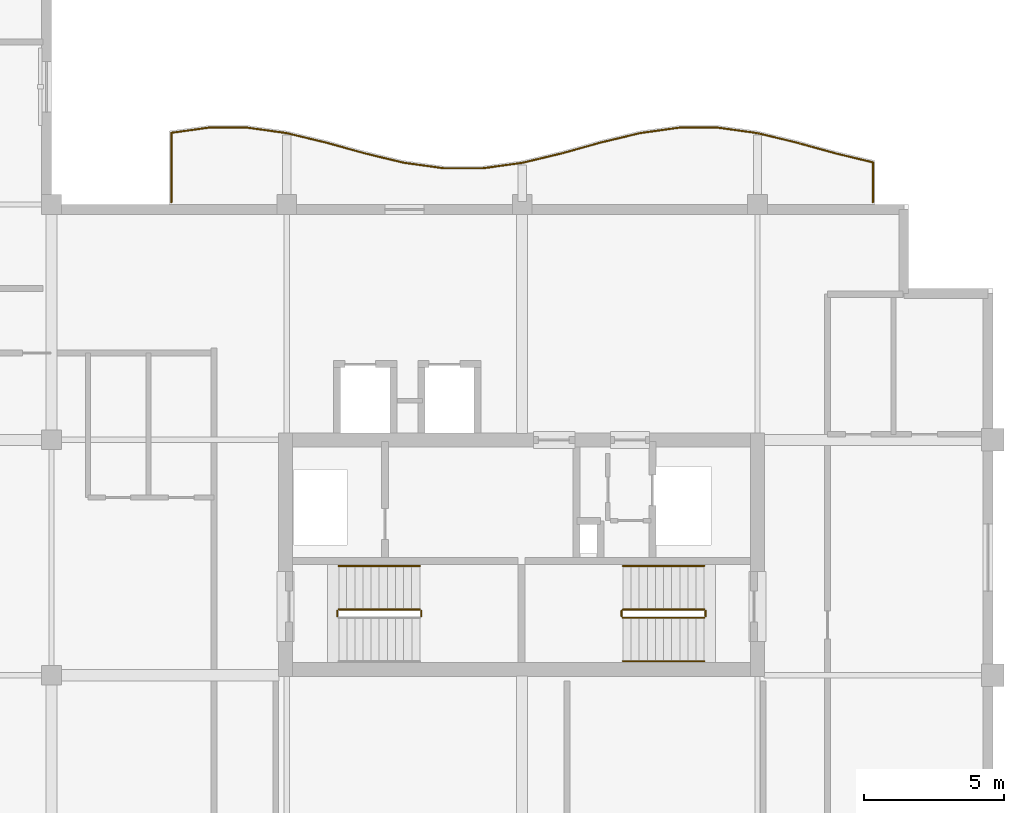
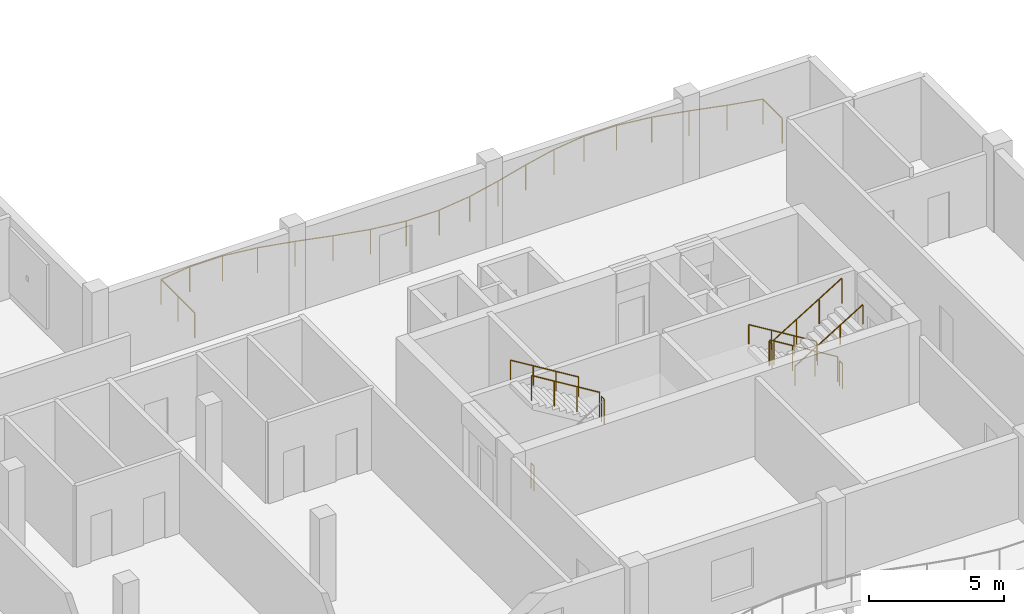
# One storey, part 10 of 11: 11 railings.
"""IFC4 building model written with IfcOpenShell, lengths in metres."""

import ifcopenshell
import ifcopenshell.guid

model = None  # the IFC model being written
_history = None  # IfcOwnerHistory: only IFC2X3 demands one
_inside = {}  # id of a spatial element -> (the spatial element, [elements in it])
_under = {}  # id of a project, library or spatial element -> (it, [spatial elements below it])
_declared = {}  # id of a project -> (the project, [libraries it declares])
_typed = {}  # id of a type object -> (the type object, [elements of that type])
_made_of = {}  # id of a material, layer set ... -> (it, [elements and type objects made of it])


def new_model(schema):
    """Start an empty IFC model of exactly this schema.

    Asked for "IFC4X3", IfcOpenShell would pick the latest addendum, in which some entities
    have other attributes; the version numbers below select the first issue.
    IFC2X3 requires an IfcOwnerHistory on every rooted entity: one is made here for all.
    """
    global model, _history
    if schema == "IFC4X3":
        model = ifcopenshell.file(schema_version=(4, 3, 0, 0))
    else:
        model = ifcopenshell.file(schema=schema)
    _inside.clear()
    _under.clear()
    _declared.clear()
    _typed.clear()
    _made_of.clear()
    _history = None
    if model.schema == "IFC2X3":
        org = make("IfcOrganization", Name="unknown")
        user = make(
            "IfcPersonAndOrganization",
            ThePerson=make("IfcPerson", FamilyName="unknown"),
            TheOrganization=org,
        )
        app = make(
            "IfcApplication",
            ApplicationDeveloper=org,
            Version="unknown",
            ApplicationFullName="unknown",
            ApplicationIdentifier="unknown",
        )
        _history = make(
            "IfcOwnerHistory",
            OwningUser=user,
            OwningApplication=app,
            ChangeAction="ADDED",
            CreationDate=0,
        )
    return model


def make(cls, **values):
    """One entity of the class cls with the attributes given. An attribute that is None is left unset."""
    return model.create_entity(
        cls, **{name: value for name, value in values.items() if value is not None}
    )


def rooted(cls, **values):
    """An entity with a GlobalId (a new one), such as an element, a storey or a relation."""
    return make(cls, GlobalId=ifcopenshell.guid.new(), OwnerHistory=_history, **values)


def si_unit(unit_type, name, prefix=None):
    """IfcSIUnit, for example si_unit("LENGTHUNIT", "METRE", prefix="MILLI")."""
    return make("IfcSIUnit", UnitType=unit_type, Prefix=prefix, Name=name)


def assignment(units):
    """IfcUnitAssignment: the units of a project."""
    return None if units is None else make("IfcUnitAssignment", Units=units)


def point(xyz):
    """IfcCartesianPoint."""
    return None if xyz is None else make("IfcCartesianPoint", Coordinates=xyz)


def direction(xyz):
    """IfcDirection."""
    return None if xyz is None else make("IfcDirection", DirectionRatios=xyz)


def frame(location, z_axis=None, x_axis=None):
    """IfcAxis2Placement3D, a coordinate frame: its origin and axes. An axis left out is left unset."""
    return make(
        "IfcAxis2Placement3D",
        Location=point(location),
        Axis=direction(z_axis),
        RefDirection=direction(x_axis),
    )


def frame_2d(location, x_axis=None):
    """IfcAxis2Placement2D, a coordinate frame in the plane: its origin and x axis."""
    return make(
        "IfcAxis2Placement2D", Location=point(location), RefDirection=direction(x_axis)
    )


def origin():
    """The frame at (0, 0, 0) with its axes left unset."""
    return frame((0.0, 0.0, 0.0))


def origin_2d():
    """The frame at (0, 0) in the plane with its x axis left unset."""
    return frame_2d((0.0, 0.0))


def place(relative_to, where):
    """IfcLocalPlacement: puts the frame where relative to a parent placement (None: the world)."""
    return make(
        "IfcLocalPlacement", PlacementRelTo=relative_to, RelativePlacement=where
    )


def context(
    kind, dimensions, precision=None, world=None, true_north=None, identifier=None
):
    """IfcGeometricRepresentationContext, for example the 3D "Model" context."""
    return make(
        "IfcGeometricRepresentationContext",
        ContextIdentifier=identifier,
        ContextType=kind,
        CoordinateSpaceDimension=dimensions,
        Precision=precision,
        WorldCoordinateSystem=world,
        TrueNorth=true_north,
    )


def subcontext(parent, identifier, kind, view, scale=None):
    """IfcGeometricRepresentationSubContext, for example "Body" below "Model"."""
    return make(
        "IfcGeometricRepresentationSubContext",
        ContextIdentifier=identifier,
        ContextType=kind,
        ParentContext=parent,
        TargetScale=scale,
        TargetView=view,
    )


def project(units=None, contexts=None):
    """IfcProject with its units and contexts."""
    return rooted(
        "IfcProject",
        Name="project",
        RepresentationContexts=contexts,
        UnitsInContext=assignment(units),
    )


def spatial(cls, under=None, at=None, **own):
    """A site, building, storey or space (cls), placed at a placement, below another one or the project."""
    s = rooted(cls, ObjectPlacement=at, **own)
    if under is not None:
        _under.setdefault(under.id(), (under, []))[1].append(s)
    return s


def profile(cls, at=None, kind="AREA", **sizes):
    """A parametric profile (cls). Its sizes go by their IFC names, for example OverallWidth=200.0."""
    return make(cls, ProfileType=kind, Position=at, **sizes)


def circle(**sizes):
    """IfcCircleProfileDef."""
    return profile("IfcCircleProfileDef", **sizes)


def extrude(swept, where, along, depth):
    """IfcExtrudedAreaSolid: the profile swept, set in the frame where, extruded along a direction by depth."""
    return make(
        "IfcExtrudedAreaSolid",
        SweptArea=swept,
        Position=where,
        ExtrudedDirection=direction(along),
        Depth=depth,
    )


def shape(context_of_items, identifier, shape_type, items):
    """IfcShapeRepresentation: the items that make up one representation, for example the "Body"."""
    return make(
        "IfcShapeRepresentation",
        ContextOfItems=context_of_items,
        RepresentationIdentifier=identifier,
        RepresentationType=shape_type,
        Items=items,
    )


def material(Name=None, Category=None):
    """IfcMaterial."""
    return make("IfcMaterial", Name=Name, Category=Category)


def made_of(thing, what):
    """Note that an element or type object is made of a material, layer set ...; save() writes the relation."""
    if what is not None:
        _made_of.setdefault(what.id(), (what, []))[1].append(thing)
    return thing


def type_object(cls, material=None, **own):
    """A type object (cls), such as IfcWallType, which elements share."""
    return made_of(rooted(cls, **own), material)


def element(
    cls,
    number,
    at=None,
    inside=None,
    cuts=None,
    type_object=None,
    material=None,
    context=None,
    identifier="Body",
    shape_type=None,
    held_by="IfcProductDefinitionShape",
    body=None,
    shapes=None,
    **own,
):
    """One element of the class cls, such as IfcWall. Its Tag is "e" and its number.

    at: its placement. inside: the storey or other place that contains it. cuts: it is an
    opening in that element (IfcRelVoidsElement). A single representation is given by context,
    identifier, shape_type and body (its items); several are given by shapes. held_by: the class
    of the entity that holds the representations. save() writes the other relations.
    """
    e = rooted(cls, Tag="e%d" % number, ObjectPlacement=at, **own)
    if body is not None:
        shapes = [shape(context, identifier, shape_type, body)]
    if shapes is not None:
        e.Representation = make(held_by, Representations=shapes)
    if inside is not None:
        _inside.setdefault(inside.id(), (inside, []))[1].append(e)
    if cuts is not None:
        rooted(
            "IfcRelVoidsElement", RelatingBuildingElement=cuts, RelatedOpeningElement=e
        )
    if type_object is not None:
        _typed.setdefault(type_object.id(), (type_object, []))[1].append(e)
    return made_of(e, material)


def aggregate(whole, parts):
    """IfcRelAggregates: a whole, such as a stair, and the parts it consists of."""
    return rooted("IfcRelAggregates", RelatingObject=whole, RelatedObjects=parts)


def save(model, path):
    """Write the relations noted so far, then the file.

    IfcRelAggregates (storeys below a building ...), IfcRelContainedInSpatialStructure (elements
    in a storey), IfcRelDefinesByType, IfcRelAssociatesMaterial and IfcRelDeclares: one each for
    every whole, place, type object, material and project.
    """
    for whole, parts in _under.values():
        aggregate(whole, parts)
    for where, things in _inside.values():
        rooted(
            "IfcRelContainedInSpatialStructure",
            RelatedElements=things,
            RelatingStructure=where,
        )
    for kind, things in _typed.values():
        rooted("IfcRelDefinesByType", RelatedObjects=things, RelatingType=kind)
    for what, things in _made_of.values():
        rooted("IfcRelAssociatesMaterial", RelatedObjects=things, RelatingMaterial=what)
    for by, libraries in _declared.values():
        rooted("IfcRelDeclares", RelatingContext=by, RelatedDefinitions=libraries)
    model.write(path)


model = new_model("IFC4")

# Units and contexts
model_context = context("Model", 3, precision=1e-05, world=origin(), true_north=direction((0.0, 1.0)))
body_context = subcontext(model_context, "Body", "Model", "MODEL_VIEW")
ifc_project = project(units=[si_unit("LENGTHUNIT", "METRE"), si_unit("AREAUNIT", "SQUARE_METRE"), si_unit("VOLUMEUNIT", "CUBIC_METRE"), si_unit("PLANEANGLEUNIT", "RADIAN"), si_unit("MASSUNIT", "GRAM", prefix="KILO")], contexts=[model_context])

# Site, building, storey
site_placement = place(None, origin())
site = spatial("IfcSite", under=ifc_project, at=site_placement, CompositionType="ELEMENT")
building_placement = place(site_placement, origin())
building = spatial("IfcBuilding", under=site, at=building_placement, Name="Koriwani Terraces Tower", CompositionType="ELEMENT")
storey_placement = place(building_placement, frame((0.0, 0.0, 320.300048828125)))
storey = spatial("IfcBuildingStorey", under=building, at=storey_placement, Name="L79", CompositionType="ELEMENT", Elevation=320.300048828125)

# Railings
ifc_material = material(Name="Steel ASTM A572 Grade 50", Category="steel")
railing_type_1 = type_object("IfcRailingType", Name="GUARD_BALUSTRADE_1150", PredefinedType="BALUSTRADE", material=ifc_material)
railing_1_placement = place(storey_placement, frame((62.919921875, 33.679931640625, 0.0)))
element("IfcRailing", 1, at=railing_1_placement, inside=storey, type_object=railing_type_1, Name="L79 Balcony Perimeter Safety Balustrade (NE)", PredefinedType="BALUSTRADE", context=body_context, shape_type="SweptSolid", body=[
    extrude(circle(Radius=0.02392578125, at=origin_2d()), frame((0.0, 0.0, 1.1259765625), z_axis=(0.0, 1.0, 0.0), x_axis=(-1.0, 0.0, 0.0)), (0.0, 0.0, 1.0), 1.4267578125),
    extrude(circle(Radius=0.02392578125, at=origin_2d()), frame((0.0, 1.4267578125, 1.1259765625), z_axis=(-0.972351908849, 0.233520374611, 0.0), x_axis=(-0.233520374611, -0.972351908849, 0.0)), (0.0, 0.0, 1.0), 1.3779296875),
    extrude(circle(Radius=0.02392578125, at=origin_2d()), frame((-1.33984375, 1.74853515625, 1.1259765625), z_axis=(-0.963650193341, 0.26716718525, 0.0), x_axis=(-0.26716718525, -0.963650193341, 0.0)), (0.0, 0.0, 1.0), 1.452880859375),
    extrude(circle(Radius=0.02392578125, at=origin_2d()), frame((-2.739990234375, 2.13671875, 1.1259765625), z_axis=(-0.972353303141, 0.233514568862, 0.0), x_axis=(-0.233514568862, -0.972353303141, 0.0)), (0.0, 0.0, 1.0), 1.434326171875),
    extrude(circle(Radius=0.02392578125, at=origin_2d()), frame((-4.134765625, 2.4716796875, 1.1259765625), z_axis=(-0.990518583157, 0.137378806302, 0.0), x_axis=(-0.137378806302, -0.990518583157, 0.0)), (0.0, 0.0, 1.0), 1.404052734375),
    extrude(circle(Radius=0.02392578125, at=origin_2d()), frame((-5.525390625, 2.66455078125, 1.1259765625), z_axis=(-1.0, 0.0, 0.0), x_axis=(0.0, -1.0, 0.0)), (0.0, 0.0, 1.0), 1.388916015625),
    extrude(circle(Radius=0.02392578125, at=origin_2d()), frame((-6.914306640625, 2.66455078125, 1.1259765625), z_axis=(-0.990518583157, -0.137378806302, 0.0), x_axis=(0.137378806302, -0.990518583157, 0.0)), (0.0, 0.0, 1.0), 1.404052734375),
    extrude(circle(Radius=0.02392578125, at=origin_2d()), frame((-8.304931640625, 2.4716796875, 1.1259765625), z_axis=(-0.972362581689, -0.23347592966, 0.0), x_axis=(0.23347592966, -0.972362581689, 0.0)), (0.0, 0.0, 1.0), 1.4345703125),
    extrude(circle(Radius=0.02392578125, at=origin_2d()), frame((-9.699951171875, 2.13671875, 1.1259765625), z_axis=(-0.963638196753, -0.267210452187, 0.0), x_axis=(0.267210452187, -0.963638196753, 0.0)), (0.0, 0.0, 1.0), 1.45263671875),
    extrude(circle(Radius=0.02392578125, at=origin_2d()), frame((-11.099853515625, 1.74853515625, 1.1259765625), z_axis=(-0.972404167631, -0.233302667738, 0.0), x_axis=(0.233302667738, -0.972404167631, 0.0)), (0.0, 0.0, 1.0), 1.445068359375),
    extrude(circle(Radius=0.02392578125, at=origin_2d()), frame((-12.505126953125, 1.411376953125, 1.1259765625), z_axis=(-0.990531206111, -0.137287762455, 0.0), x_axis=(0.137287762455, -0.990531206111, 0.0)), (0.0, 0.0, 1.0), 1.422607421875),
    extrude(circle(Radius=0.02392578125, at=origin_2d()), frame((-13.914306640625, 1.216064453125, 1.1259765625), z_axis=(-1.0, 0.0, 0.0), x_axis=(0.0, -1.0, 0.0)), (0.0, 0.0, 1.0), 1.4111328125),
    extrude(circle(Radius=0.02392578125, at=origin_2d()), frame((-15.325439453125, 1.216064453125, 1.1259765625), z_axis=(-0.990531206111, 0.137287762455, 0.0), x_axis=(-0.137287762455, -0.990531206111, 0.0)), (0.0, 0.0, 1.0), 1.422607421875),
    extrude(circle(Radius=0.02392578125, at=origin_2d()), frame((-16.734619140625, 1.411376953125, 1.1259765625), z_axis=(-0.972404167631, 0.233302667738, 0.0), x_axis=(-0.233302667738, -0.972404167631, 0.0)), (0.0, 0.0, 1.0), 1.445068359375),
    extrude(circle(Radius=0.02392578125, at=origin_2d()), frame((-18.139892578125, 1.74853515625, 1.1259765625), z_axis=(-0.963650193341, 0.26716718525, 0.0), x_axis=(-0.26716718525, -0.963650193341, 0.0)), (0.0, 0.0, 1.0), 1.452880859375),
    extrude(circle(Radius=0.02392578125, at=origin_2d()), frame((-19.5400390625, 2.13671875, 1.1259765625), z_axis=(-0.972353303141, 0.233514568862, 0.0), x_axis=(-0.233514568862, -0.972353303141, 0.0)), (0.0, 0.0, 1.0), 1.434326171875),
    extrude(circle(Radius=0.02392578125, at=origin_2d()), frame((-20.934814453125, 2.4716796875, 1.1259765625), z_axis=(-0.990518583157, 0.137378806302, 0.0), x_axis=(-0.137378806302, -0.990518583157, 0.0)), (0.0, 0.0, 1.0), 1.404052734375),
    extrude(circle(Radius=0.02392578125, at=origin_2d()), frame((-22.325439453125, 2.66455078125, 1.1259765625), z_axis=(-1.0, 0.0, 0.0), x_axis=(0.0, -1.0, 0.0)), (0.0, 0.0, 1.0), 1.388916015625),
    extrude(circle(Radius=0.02392578125, at=origin_2d()), frame((-23.71435546875, 2.66455078125, 1.1259765625), z_axis=(-0.990521249999, -0.137359576657, 0.0), x_axis=(0.137359576657, -0.990521249999, 0.0)), (0.0, 0.0, 1.0), 1.33837890625),
    extrude(circle(Radius=0.02392578125, at=origin_2d()), frame((-25.0400390625, 2.480712890625, 1.1259765625), z_axis=(0.0, -1.0, 0.0), x_axis=(1.0, 0.0, 0.0)), (0.0, 0.0, 1.0), 2.480712890625),
    extrude(circle(Radius=0.02099609375, at=origin_2d()), origin(), (0.0, 0.0, 1.0), 1.101806640625),
    extrude(circle(Radius=0.02099609375, at=origin_2d()), frame((0.0, 1.4267578125, 0.0)), (0.0, 0.0, 1.0), 1.101806640625),
    extrude(circle(Radius=0.02099609375, at=origin_2d()), frame((-1.33984375, 1.74853515625, 0.0)), (0.0, 0.0, 1.0), 1.101806640625),
    extrude(circle(Radius=0.02099609375, at=origin_2d()), frame((-2.739990234375, 2.13671875, 0.0)), (0.0, 0.0, 1.0), 1.101806640625),
    extrude(circle(Radius=0.02099609375, at=origin_2d()), frame((-4.134765625, 2.4716796875, 0.0)), (0.0, 0.0, 1.0), 1.101806640625),
    extrude(circle(Radius=0.02099609375, at=origin_2d()), frame((-5.525390625, 2.66455078125, 0.0)), (0.0, 0.0, 1.0), 1.101806640625),
    extrude(circle(Radius=0.02099609375, at=origin_2d()), frame((-6.914306640625, 2.66455078125, 0.0)), (0.0, 0.0, 1.0), 1.101806640625),
    extrude(circle(Radius=0.02099609375, at=origin_2d()), frame((-8.304931640625, 2.4716796875, 0.0)), (0.0, 0.0, 1.0), 1.101806640625),
    extrude(circle(Radius=0.02099609375, at=origin_2d()), frame((-9.699951171875, 2.13671875, 0.0)), (0.0, 0.0, 1.0), 1.101806640625),
    extrude(circle(Radius=0.02099609375, at=origin_2d()), frame((-11.099853515625, 1.74853515625, 0.0)), (0.0, 0.0, 1.0), 1.101806640625),
    extrude(circle(Radius=0.02099609375, at=origin_2d()), frame((-12.505126953125, 1.411376953125, 0.0)), (0.0, 0.0, 1.0), 1.101806640625),
    extrude(circle(Radius=0.02099609375, at=origin_2d()), frame((-13.914306640625, 1.216064453125, 0.0)), (0.0, 0.0, 1.0), 1.101806640625),
    extrude(circle(Radius=0.02099609375, at=origin_2d()), frame((-15.325439453125, 1.216064453125, 0.0)), (0.0, 0.0, 1.0), 1.101806640625),
    extrude(circle(Radius=0.02099609375, at=origin_2d()), frame((-16.734619140625, 1.411376953125, 0.0)), (0.0, 0.0, 1.0), 1.101806640625),
    extrude(circle(Radius=0.02099609375, at=origin_2d()), frame((-18.139892578125, 1.74853515625, 0.0)), (0.0, 0.0, 1.0), 1.101806640625),
    extrude(circle(Radius=0.02099609375, at=origin_2d()), frame((-19.5400390625, 2.13671875, 0.0)), (0.0, 0.0, 1.0), 1.101806640625),
    extrude(circle(Radius=0.02099609375, at=origin_2d()), frame((-20.934814453125, 2.4716796875, 0.0)), (0.0, 0.0, 1.0), 1.101806640625),
    extrude(circle(Radius=0.02099609375, at=origin_2d()), frame((-22.325439453125, 2.66455078125, 0.0)), (0.0, 0.0, 1.0), 1.101806640625),
    extrude(circle(Radius=0.02099609375, at=origin_2d()), frame((-23.71435546875, 2.66455078125, 0.0)), (0.0, 0.0, 1.0), 1.101806640625),
    extrude(circle(Radius=0.02099609375, at=origin_2d()), frame((-25.0400390625, 2.480712890625, 0.0)), (0.0, 0.0, 1.0), 1.101806640625),
    extrude(circle(Radius=0.02099609375, at=origin_2d()), frame((-25.0400390625, 1.240234375, 0.0)), (0.0, 0.0, 1.0), 1.101806640625),
    extrude(circle(Radius=0.02099609375, at=origin_2d()), frame((-25.0400390625, 0.0, 0.0)), (0.0, 0.0, 1.0), 1.101806640625),
])
railing_type_2 = type_object("IfcRailingType", Name="GUARD_STAIR_WELL_1120", PredefinedType="GUARDRAIL", material=ifc_material)
railing_2_placement = place(storey_placement, frame((46.800048828125, 18.89990234375, 1.949951171875)))
element("IfcRailing", 2, at=railing_2_placement, inside=storey, type_object=railing_type_2, Name="L79 ST-E1 stair guard 2", PredefinedType="GUARDRAIL", context=body_context, shape_type="SweptSolid", body=[
    extrude(circle(Radius=0.02392578125, at=origin_2d()), frame((0.0, 0.0, 1.1259765625), z_axis=(0.0, 1.0, 0.0), x_axis=(-1.0, 0.0, 0.0)), (0.0, 0.0, 1.0), 0.2001953125),
    extrude(circle(Radius=0.02099609375, at=origin_2d()), origin(), (0.0, 0.0, 1.0), 1.101806640625),
    extrude(circle(Radius=0.02099609375, at=origin_2d()), frame((0.0, 0.2001953125, 0.0)), (0.0, 0.0, 1.0), 1.101806640625),
])
railing_3_placement = place(storey_placement, frame((46.75, 19.14990234375, 2.127197265625)))
element("IfcRailing", 3, at=railing_3_placement, inside=storey, type_object=railing_type_2, Name="L79 ST-E1 stair guard 3", PredefinedType="GUARDRAIL", context=body_context, shape_type="SweptSolid", body=[
    extrude(circle(Radius=0.02392578125, at=origin_2d()), frame((0.0, 0.0, 1.1259765625), z_axis=(-0.853210801645, 0.0, 0.521566225858), x_axis=(0.0, -1.0, 0.0)), (0.0, 0.0, 1.0), 3.39892578125),
    extrude(circle(Radius=0.02099609375, at=origin_2d()), origin(), (0.0, 0.0, 1.0), 1.101806640625),
    extrude(circle(Radius=0.02099609375, at=origin_2d()), frame((-0.966552734375, 0.0, 0.5908203125)), (0.0, 0.0, 1.0), 1.101806640625),
    extrude(circle(Radius=0.02099609375, at=origin_2d()), frame((-1.933349609375, 0.0, 1.181884765625)), (0.0, 0.0, 1.0), 1.101806640625),
    extrude(circle(Radius=0.02099609375, at=origin_2d()), frame((-2.89990234375, 0.0, 1.772705078125)), (0.0, 0.0, 1.0), 1.101806640625),
])
railing_4_placement = place(storey_placement, frame((43.800048828125, 18.89990234375, 0.0)))
element("IfcRailing", 4, at=railing_4_placement, inside=storey, type_object=railing_type_2, Name="L79 ST-E1 stair guard 4", PredefinedType="GUARDRAIL", context=body_context, shape_type="SweptSolid", body=[
    extrude(circle(Radius=0.02392578125, at=origin_2d()), frame((0.0, 0.0, 1.1259765625), z_axis=(0.0, 1.0, 0.0), x_axis=(-1.0, 0.0, 0.0)), (0.0, 0.0, 1.0), 0.2001953125),
    extrude(circle(Radius=0.02099609375, at=origin_2d()), origin(), (0.0, 0.0, 1.0), 1.101806640625),
    extrude(circle(Radius=0.02099609375, at=origin_2d()), frame((0.0, 0.2001953125, 0.0)), (0.0, 0.0, 1.0), 1.101806640625),
])
railing_5_placement = place(storey_placement, frame((56.89990234375, 19.14990234375, 0.17724609375)))
element("IfcRailing", 5, at=railing_5_placement, inside=storey, type_object=railing_type_2, Name="L79 ST-E2 stair guard 1", PredefinedType="GUARDRAIL", context=body_context, shape_type="SweptSolid", body=[
    extrude(circle(Radius=0.02392578125, at=origin_2d()), frame((0.0, 0.0, 1.1259765625), z_axis=(-0.853210801645, 0.0, 0.521566225858), x_axis=(0.0, -1.0, 0.0)), (0.0, 0.0, 1.0), 3.39892578125),
    extrude(circle(Radius=0.02099609375, at=origin_2d()), origin(), (0.0, 0.0, 1.0), 1.101806640625),
    extrude(circle(Radius=0.02099609375, at=origin_2d()), frame((-0.966552734375, 0.0, 0.5908203125)), (0.0, 0.0, 1.0), 1.101806640625),
    extrude(circle(Radius=0.02099609375, at=origin_2d()), frame((-1.933349609375, 0.0, 1.181884765625)), (0.0, 0.0, 1.0), 1.101806640625),
    extrude(circle(Radius=0.02099609375, at=origin_2d()), frame((-2.89990234375, 0.0, 1.772705078125)), (0.0, 0.0, 1.0), 1.101806640625),
])
railing_6_placement = place(storey_placement, frame((53.949951171875, 19.10009765625, 1.949951171875)))
element("IfcRailing", 6, at=railing_6_placement, inside=storey, type_object=railing_type_2, Name="L79 ST-E2 stair guard 2", PredefinedType="GUARDRAIL", context=body_context, shape_type="SweptSolid", body=[
    extrude(circle(Radius=0.02392578125, at=origin_2d()), frame((0.0, 0.0, 1.1259765625), z_axis=(0.0, -1.0, 0.0), x_axis=(1.0, 0.0, 0.0)), (0.0, 0.0, 1.0), 0.2001953125),
    extrude(circle(Radius=0.02099609375, at=origin_2d()), origin(), (0.0, 0.0, 1.0), 1.101806640625),
    extrude(circle(Radius=0.02099609375, at=origin_2d()), frame((0.0, -0.2001953125, 0.0)), (0.0, 0.0, 1.0), 1.101806640625),
])
railing_7_placement = place(storey_placement, frame((54.0, 18.85009765625, 2.127197265625)))
element("IfcRailing", 7, at=railing_7_placement, inside=storey, type_object=railing_type_2, Name="L79 ST-E2 stair guard 3", PredefinedType="GUARDRAIL", context=body_context, shape_type="SweptSolid", body=[
    extrude(circle(Radius=0.02392578125, at=origin_2d()), frame((0.0, 0.0, 1.1259765625), z_axis=(0.853210801645, 0.0, 0.521566225858), x_axis=(0.0, 1.0, 0.0)), (0.0, 0.0, 1.0), 3.39892578125),
    extrude(circle(Radius=0.02099609375, at=origin_2d()), origin(), (0.0, 0.0, 1.0), 1.101806640625),
    extrude(circle(Radius=0.02099609375, at=origin_2d()), frame((0.966552734375, 0.0, 0.5908203125)), (0.0, 0.0, 1.0), 1.101806640625),
    extrude(circle(Radius=0.02099609375, at=origin_2d()), frame((1.933349609375, 0.0, 1.181884765625)), (0.0, 0.0, 1.0), 1.101806640625),
    extrude(circle(Radius=0.02099609375, at=origin_2d()), frame((2.89990234375, 0.0, 1.772705078125)), (0.0, 0.0, 1.0), 1.101806640625),
])
railing_8_placement = place(storey_placement, frame((56.949951171875, 19.10009765625, 0.0)))
element("IfcRailing", 8, at=railing_8_placement, inside=storey, type_object=railing_type_2, Name="L79 ST-E2 stair guard 4", PredefinedType="GUARDRAIL", context=body_context, shape_type="SweptSolid", body=[
    extrude(circle(Radius=0.02392578125, at=origin_2d()), frame((0.0, 0.0, 1.1259765625), z_axis=(0.0, -1.0, 0.0), x_axis=(1.0, 0.0, 0.0)), (0.0, 0.0, 1.0), 0.2001953125),
    extrude(circle(Radius=0.02099609375, at=origin_2d()), origin(), (0.0, 0.0, 1.0), 1.101806640625),
    extrude(circle(Radius=0.02099609375, at=origin_2d()), frame((0.0, -0.2001953125, 0.0)), (0.0, 0.0, 1.0), 1.101806640625),
])
railing_type_3 = type_object("IfcRailingType", Name="HANDRAIL_STAIR_920", PredefinedType="HANDRAIL", material=ifc_material)
for number, where, name in (
    (9, (46.75, 20.699951171875, 2.127197265625), "L79 ST-E1 stair handrail 2"),
    (10, (56.89990234375, 20.699951171875, 0.17724609375), "L79 ST-E2 stair handrail 1"),
):
    element("IfcRailing", number, at=place(storey_placement, frame(where)), inside=storey, type_object=railing_type_3, Name=name, PredefinedType="HANDRAIL", context=body_context, shape_type="SweptSolid", body=[
        extrude(circle(Radius=0.02392578125, at=origin_2d()), frame((0.0, 0.0, 0.8759765625), z_axis=(-0.853210801645, 0.0, 0.521566225858), x_axis=(0.0, -1.0, 0.0)), (0.0, 0.0, 1.0), 3.39892578125),
        extrude(circle(Radius=0.02099609375, at=origin_2d()), origin(), (0.0, 0.0, 1.0), 0.851806640625),
        extrude(circle(Radius=0.02099609375, at=origin_2d()), frame((-0.966552734375, 0.0, 0.5908203125)), (0.0, 0.0, 1.0), 0.851806640625),
        extrude(circle(Radius=0.02099609375, at=origin_2d()), frame((-1.933349609375, 0.0, 1.181884765625)), (0.0, 0.0, 1.0), 0.851806640625),
        extrude(circle(Radius=0.02099609375, at=origin_2d()), frame((-2.89990234375, 0.0, 1.772705078125)), (0.0, 0.0, 1.0), 0.851806640625),
    ])
railing_9_placement = place(storey_placement, frame((54.0, 17.300048828125, 2.127197265625)))
element("IfcRailing", 11, at=railing_9_placement, inside=storey, type_object=railing_type_3, Name="L79 ST-E2 stair handrail 2", PredefinedType="HANDRAIL", context=body_context, shape_type="SweptSolid", body=[
    extrude(circle(Radius=0.02392578125, at=origin_2d()), frame((0.0, 0.0, 0.8759765625), z_axis=(0.853210801645, 0.0, 0.521566225858), x_axis=(0.0, 1.0, 0.0)), (0.0, 0.0, 1.0), 3.39892578125),
    extrude(circle(Radius=0.02099609375, at=origin_2d()), origin(), (0.0, 0.0, 1.0), 0.851806640625),
    extrude(circle(Radius=0.02099609375, at=origin_2d()), frame((0.966552734375, 0.0, 0.5908203125)), (0.0, 0.0, 1.0), 0.851806640625),
    extrude(circle(Radius=0.02099609375, at=origin_2d()), frame((1.933349609375, 0.0, 1.181884765625)), (0.0, 0.0, 1.0), 0.851806640625),
    extrude(circle(Radius=0.02099609375, at=origin_2d()), frame((2.89990234375, 0.0, 1.772705078125)), (0.0, 0.0, 1.0), 0.851806640625),
])

save(model, "model.ifc")
